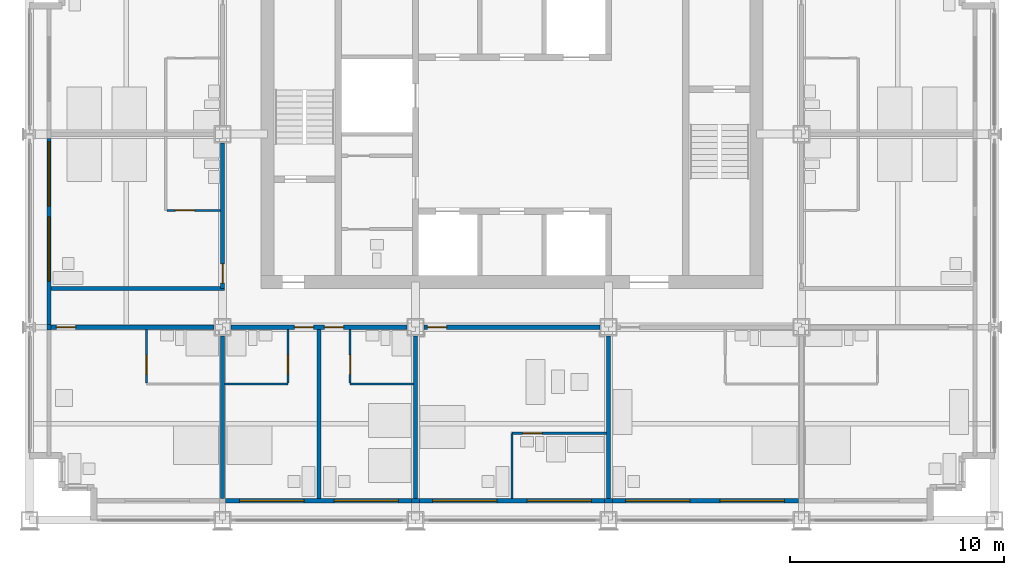
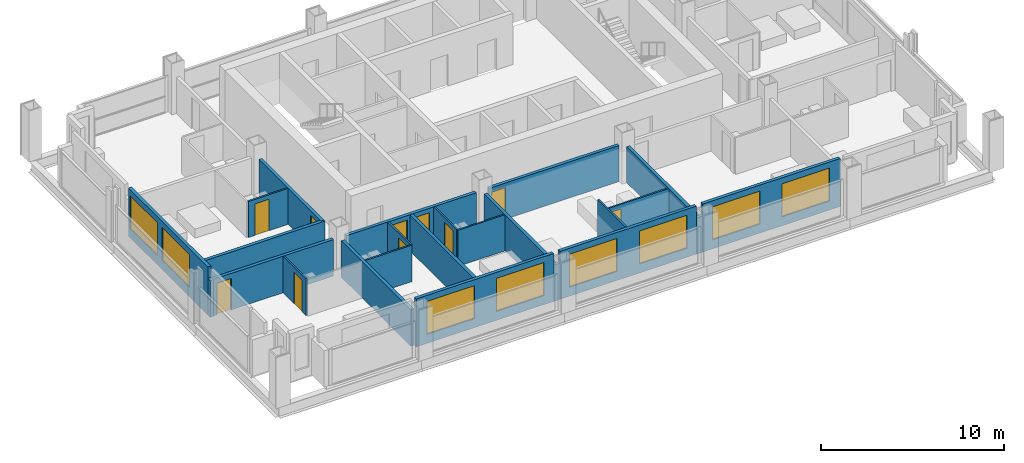
# One storey, part 7 of 13: 24 walls, 10 doors, 8 windows, 18 openings.
"""IFC4 building model written with IfcOpenShell, lengths in metres."""

from ifc_helpers import new_model, si_unit, direction, frame, frame_2d, origin, place, context, subcontext, project, spatial, rectangle, extrude, material, layer, layer_set, type_object, element, fill, save


model = new_model("IFC4")

# Units and contexts
model_context = context("Model", 3, precision=1e-05, world=origin(), true_north=direction((0.0, 1.0)))
body_context = subcontext(model_context, "Body", "Model", "MODEL_VIEW")
ifc_project = project(units=[si_unit("LENGTHUNIT", "METRE"), si_unit("AREAUNIT", "SQUARE_METRE"), si_unit("VOLUMEUNIT", "CUBIC_METRE"), si_unit("PLANEANGLEUNIT", "RADIAN"), si_unit("MASSUNIT", "GRAM", prefix="KILO")], contexts=[model_context])

# Site, building, storey
site_placement = place(None, origin())
site = spatial("IfcSite", under=ifc_project, at=site_placement, CompositionType="ELEMENT")
building_placement = place(site_placement, origin())
building = spatial("IfcBuilding", under=site, at=building_placement, Name="Loomwork Tower", CompositionType="ELEMENT")
storey_placement = place(building_placement, frame((0.0, 0.0, 184.199951171875)))
storey = spatial("IfcBuildingStorey", under=building, at=storey_placement, Name="L50", CompositionType="ELEMENT", Elevation=184.199951171875)

# Wall, opening, door
ifc_material_1 = material(Name="Gypsum board on steel studs, one-hour", Category="steel")
ifc_layer_1 = layer(ifc_material_1, 0.199951171875)
ifc_layer_set_1 = layer_set([ifc_layer_1], Name="Corridor wall 200")
wall_type_1 = type_object("IfcWallType", Name="Corridor wall 200", PredefinedType="PARTITIONING", material=ifc_layer_set_1)
wall_1_placement = place(storey_placement, frame((1.0, 9.0, 0.0), z_axis=(0.0, 0.0, 1.0), x_axis=(1.0, 0.0, 0.0)))
wall_1 = element("IfcWall", 1, at=wall_1_placement, inside=storey, type_object=wall_type_1, Name="South corridor wall 1", PredefinedType="PARTITIONING", context=body_context, shape_type="SweptSolid", body=[
    extrude(rectangle(XDim=7.60009765625, YDim=0.199951171875, at=frame_2d((3.800048828125, 0.0))), origin(), (0.0, 0.0, 1.0), 2.43798828125),
])
opening_1_placement = place(wall_1_placement, frame((0.25, 0.0, 0.0)))
opening_1 = element("IfcOpeningElement", 2, at=opening_1_placement, cuts=wall_1, Name="Opening D1", PredefinedType="OPENING", context=body_context, shape_type="SweptSolid", body=[
    extrude(rectangle(XDim=0.89990234375, YDim=2.10009765625, at=frame_2d((0.449951171875, 1.050048828125))), frame((0.0, 0.10986328125, 0.0), z_axis=(0.0, -1.0, 0.0), x_axis=(1.0, 0.0, 0.0)), (0.0, 0.0, 1.0), 0.219970703125),
])
ifc_material_2 = material(Name="Hollow metal door and frame")
door_type_1 = type_object("IfcDoorType", Name="Guest room entry door 900", OperationType="SINGLE_SWING_LEFT", PredefinedType="DOOR", material=ifc_material_2)
door_1_placement = place(opening_1_placement, frame((0.89990234375, 0.0, 0.0), z_axis=(0.0, 0.0, 1.0), x_axis=(-1.0, 0.0, 0.0)))
door_1 = element("IfcDoor", 3, at=door_1_placement, inside=storey, type_object=door_type_1, Name="Guest room entry door L50 1", OperationType="SINGLE_SWING_RIGHT", OverallHeight=2.10009765625, OverallWidth=0.89990234375, PredefinedType="DOOR", context=body_context, shape_type="SweptSolid", body=[
    extrude(rectangle(XDim=0.89990234375, YDim=2.10009765625, at=frame_2d((0.449951171875, 1.050048828125))), frame((0.0, 0.02490234375, 0.0), z_axis=(0.0, -1.0, 0.0), x_axis=(1.0, 0.0, 0.0)), (0.0, 0.0, 1.0), 0.050048828125),
])
fill(opening_1, door_1)

# Wall, openings, doors
wall_2_placement = place(storey_placement, frame((9.39990234375, 9.0, 0.0), z_axis=(0.0, 0.0, 1.0), x_axis=(1.0, 0.0, 0.0)))
wall_2 = element("IfcWall", 4, at=wall_2_placement, inside=storey, type_object=wall_type_1, Name="South corridor wall 2", PredefinedType="PARTITIONING", context=body_context, shape_type="SweptSolid", body=[
    extrude(rectangle(XDim=8.2001953125, YDim=0.199951171875, at=frame_2d((4.10009765625, 0.0))), origin(), (0.0, 0.0, 1.0), 2.405029296875),
])
opening_2_placement = place(wall_2_placement, frame((2.949951171875, 0.0, 0.0)))
opening_2 = element("IfcOpeningElement", 5, at=opening_2_placement, cuts=wall_2, Name="Opening D1", PredefinedType="OPENING", context=body_context, shape_type="SweptSolid", body=[
    extrude(rectangle(XDim=0.89990234375, YDim=2.10009765625, at=frame_2d((0.449951171875, 1.050048828125))), frame((0.0, 0.10986328125, 0.0), z_axis=(0.0, -1.0, 0.0), x_axis=(1.0, 0.0, 0.0)), (0.0, 0.0, 1.0), 0.219970703125),
])
opening_3_placement = place(wall_2_placement, frame((4.35009765625, 0.0, 0.0)))
opening_3 = element("IfcOpeningElement", 6, at=opening_3_placement, cuts=wall_2, Name="Opening D1", PredefinedType="OPENING", context=body_context, shape_type="SweptSolid", body=[
    extrude(rectangle(XDim=0.89990234375, YDim=2.10009765625, at=frame_2d((0.449951171875, 1.050048828125))), frame((0.0, 0.10986328125, 0.0), z_axis=(0.0, -1.0, 0.0), x_axis=(1.0, 0.0, 0.0)), (0.0, 0.0, 1.0), 0.219970703125),
])
door_2_placement = place(opening_2_placement, frame((0.89990234375, 0.0, 0.0), z_axis=(0.0, 0.0, 1.0), x_axis=(-1.0, 0.0, 0.0)))
door_2 = element("IfcDoor", 7, at=door_2_placement, inside=storey, type_object=door_type_1, Name="Guest room entry door L50 2", OperationType="SINGLE_SWING_LEFT", OverallHeight=2.10009765625, OverallWidth=0.89990234375, PredefinedType="DOOR", context=body_context, shape_type="SweptSolid", body=[
    extrude(rectangle(XDim=0.89990234375, YDim=2.10009765625, at=frame_2d((0.449951171875, 1.050048828125))), frame((0.0, 0.02490234375, 0.0), z_axis=(0.0, -1.0, 0.0), x_axis=(1.0, 0.0, 0.0)), (0.0, 0.0, 1.0), 0.050048828125),
])
fill(opening_2, door_2)
door_3_placement = place(opening_3_placement, frame((0.89990234375, 0.0, 0.0), z_axis=(0.0, 0.0, 1.0), x_axis=(-1.0, 0.0, 0.0)))
door_3 = element("IfcDoor", 8, at=door_3_placement, inside=storey, type_object=door_type_1, Name="Guest room entry door L50 3", OperationType="SINGLE_SWING_RIGHT", OverallHeight=2.10009765625, OverallWidth=0.89990234375, PredefinedType="DOOR", context=body_context, shape_type="SweptSolid", body=[
    extrude(rectangle(XDim=0.89990234375, YDim=2.10009765625, at=frame_2d((0.449951171875, 1.050048828125))), frame((0.0, 0.02490234375, 0.0), z_axis=(0.0, -1.0, 0.0), x_axis=(1.0, 0.0, 0.0)), (0.0, 0.0, 1.0), 0.050048828125),
])
fill(opening_3, door_3)

# Wall, opening, door
wall_3_placement = place(storey_placement, frame((18.39990234375, 9.0, 0.0), z_axis=(0.0, 0.0, 1.0), x_axis=(1.0, 0.0, 0.0)))
wall_3 = element("IfcWall", 9, at=wall_3_placement, inside=storey, type_object=wall_type_1, Name="South corridor wall 3", PredefinedType="PARTITIONING", context=body_context, shape_type="SweptSolid", body=[
    extrude(rectangle(XDim=8.2001953125, YDim=0.199951171875, at=frame_2d((4.10009765625, 0.0))), origin(), (0.0, 0.0, 1.0), 2.405029296875),
])
opening_4_placement = place(wall_3_placement, frame((0.14990234375, 0.0, 0.0)))
opening_4 = element("IfcOpeningElement", 10, at=opening_4_placement, cuts=wall_3, Name="Opening D1", PredefinedType="OPENING", context=body_context, shape_type="SweptSolid", body=[
    extrude(rectangle(XDim=0.89990234375, YDim=2.10009765625, at=frame_2d((0.449951171875, 1.050048828125))), frame((0.0, 0.10986328125, 0.0), z_axis=(0.0, -1.0, 0.0), x_axis=(1.0, 0.0, 0.0)), (0.0, 0.0, 1.0), 0.219970703125),
])
door_4_placement = place(opening_4_placement, frame((0.89990234375, 0.0, 0.0), z_axis=(0.0, 0.0, 1.0), x_axis=(-1.0, 0.0, 0.0)))
door_4 = element("IfcDoor", 11, at=door_4_placement, inside=storey, type_object=door_type_1, Name="Guest room entry door L50 4", OperationType="SINGLE_SWING_RIGHT", OverallHeight=2.10009765625, OverallWidth=0.89990234375, PredefinedType="DOOR", context=body_context, shape_type="SweptSolid", body=[
    extrude(rectangle(XDim=0.89990234375, YDim=2.10009765625, at=frame_2d((0.449951171875, 1.050048828125))), frame((0.0, 0.02490234375, 0.0), z_axis=(0.0, -1.0, 0.0), x_axis=(1.0, 0.0, 0.0)), (0.0, 0.0, 1.0), 0.050048828125),
])
fill(opening_4, door_4)

wall_4_placement = place(storey_placement, frame((9.0, 10.800048828125, 0.0), z_axis=(0.0, 0.0, 1.0), x_axis=(0.0, 1.0, 0.0)))
wall_4 = element("IfcWall", 12, at=wall_4_placement, inside=storey, type_object=wall_type_1, Name="West corridor wall 1", PredefinedType="PARTITIONING", context=body_context, shape_type="SweptSolid", body=[
    extrude(rectangle(XDim=6.800048828125, YDim=0.199951171875, at=frame_2d((3.39990234375, 0.0))), origin(), (0.0, 0.0, 1.0), 2.405029296875),
])
opening_5_placement = place(wall_4_placement, frame((0.25, 0.0, 0.0)))
opening_5 = element("IfcOpeningElement", 13, at=opening_5_placement, cuts=wall_4, Name="Opening D1", PredefinedType="OPENING", context=body_context, shape_type="SweptSolid", body=[
    extrude(rectangle(XDim=0.89990234375, YDim=2.10009765625, at=frame_2d((0.449951171875, 1.050048828125))), frame((0.0, 0.10986328125, 0.0), z_axis=(0.0, -1.0, 0.0), x_axis=(1.0, 0.0, 0.0)), (0.0, 0.0, 1.0), 0.219970703125),
])
door_5_placement = place(opening_5_placement, origin())
door_5 = element("IfcDoor", 14, at=door_5_placement, inside=storey, type_object=door_type_1, Name="Guest room entry door L50 7", OperationType="SINGLE_SWING_LEFT", OverallHeight=2.10009765625, OverallWidth=0.89990234375, PredefinedType="DOOR", context=body_context, shape_type="SweptSolid", body=[
    extrude(rectangle(XDim=0.89990234375, YDim=2.10009765625, at=frame_2d((0.449951171875, 1.050048828125))), frame((0.0, 0.02490234375, 0.0), z_axis=(0.0, -1.0, 0.0), x_axis=(1.0, 0.0, 0.0)), (0.0, 0.0, 1.0), 0.050048828125),
])
fill(opening_5, door_5)

# Wall
wall_5_placement = place(storey_placement, frame((1.0, 10.800048828125, 0.0), z_axis=(0.0, 0.0, 1.0), x_axis=(1.0, 0.0, 0.0)))
element("IfcWall", 15, at=wall_5_placement, inside=storey, type_object=wall_type_1, Name="West band end wall S", PredefinedType="PARTITIONING", context=body_context, shape_type="SweptSolid", body=[
    extrude(rectangle(XDim=8.10009765625, YDim=0.199951171875, at=frame_2d((4.050048828125, 0.0))), origin(), (0.0, 0.0, 1.0), 2.404052734375),
])

# Wall, opening, door
ifc_material_3 = material(Name="Cement board on steel studs", Category="steel")
ifc_layer_2 = layer(ifc_material_3, 0.10009765625)
ifc_layer_set_2 = layer_set([ifc_layer_2], Name="En-suite partition 100")
wall_type_2 = type_object("IfcWallType", Name="En-suite partition 100", PredefinedType="PARTITIONING", material=ifc_layer_set_2)
wall_6_placement = place(storey_placement, frame((5.449951171875, 8.89990234375, 0.0), z_axis=(0.0, 0.0, 1.0), x_axis=(0.0, -1.0, 0.0)))
wall_6 = element("IfcWall", 16, at=wall_6_placement, inside=storey, type_object=wall_type_2, Name="En-suite side wall L50 room 1", PredefinedType="PARTITIONING", context=body_context, shape_type="SweptSolid", body=[
    extrude(rectangle(XDim=2.5, YDim=0.10009765625, at=frame_2d((1.25, 0.0))), origin(), (0.0, 0.0, 1.0), 2.43798828125),
])
opening_6_placement = place(wall_6_placement, frame((1.199951171875, 0.0, 0.0)))
opening_6 = element("IfcOpeningElement", 17, at=opening_6_placement, cuts=wall_6, Name="Opening D3", PredefinedType="OPENING", context=body_context, shape_type="SweptSolid", body=[
    extrude(rectangle(XDim=0.89990234375, YDim=2.10009765625, at=frame_2d((0.449951171875, 1.050048828125))), frame((0.0, 0.06005859375, 0.0), z_axis=(0.0, -1.0, 0.0), x_axis=(1.0, 0.0, 0.0)), (0.0, 0.0, 1.0), 0.1201171875),
])
ifc_material_4 = material(Name="Hollow metal door and frame")
door_type_2 = type_object("IfcDoorType", Name="Accessible en-suite door 900", OperationType="SLIDING_TO_LEFT", PredefinedType="DOOR", material=ifc_material_4)
door_6_placement = place(opening_6_placement, origin())
door_6 = element("IfcDoor", 18, at=door_6_placement, inside=storey, type_object=door_type_2, Name="Accessible en-suite door room 1", OperationType="SLIDING_TO_LEFT", OverallHeight=2.10009765625, OverallWidth=0.89990234375, PredefinedType="DOOR", context=body_context, shape_type="SweptSolid", body=[
    extrude(rectangle(XDim=0.89990234375, YDim=2.10009765625, at=frame_2d((0.449951171875, 1.050048828125))), frame((0.0, 0.02490234375, 0.0), z_axis=(0.0, -1.0, 0.0), x_axis=(1.0, 0.0, 0.0)), (0.0, 0.0, 1.0), 0.050048828125),
])
fill(opening_6, door_6)

# Wall
wall_7_placement = place(storey_placement, frame((9.10009765625, 6.35009765625, 0.0), z_axis=(0.0, 0.0, 1.0), x_axis=(1.0, 0.0, 0.0)))
element("IfcWall", 19, at=wall_7_placement, inside=storey, type_object=wall_type_2, Name="En-suite wall L50 room 2", PredefinedType="PARTITIONING", context=body_context, shape_type="SweptSolid", body=[
    extrude(rectangle(XDim=2.949951171875, YDim=0.10009765625, at=frame_2d((1.47509765625, 0.0))), origin(), (0.0, 0.0, 1.0), 2.43798828125),
])

# Wall, opening, door
wall_8_placement = place(storey_placement, frame((12.050048828125, 8.89990234375, 0.0), z_axis=(0.0, 0.0, 1.0), x_axis=(0.0, -1.0, 0.0)))
wall_8 = element("IfcWall", 20, at=wall_8_placement, inside=storey, type_object=wall_type_2, Name="En-suite side wall L50 room 2", PredefinedType="PARTITIONING", context=body_context, shape_type="SweptSolid", body=[
    extrude(rectangle(XDim=2.5, YDim=0.10009765625, at=frame_2d((1.25, 0.0))), origin(), (0.0, 0.0, 1.0), 2.404052734375),
])
opening_7_placement = place(wall_8_placement, frame((1.199951171875, 0.0, 0.0)))
opening_7 = element("IfcOpeningElement", 21, at=opening_7_placement, cuts=wall_8, Name="Opening D2", PredefinedType="OPENING", context=body_context, shape_type="SweptSolid", body=[
    extrude(rectangle(XDim=0.89990234375, YDim=2.10009765625, at=frame_2d((0.449951171875, 1.050048828125))), frame((0.0, 0.06005859375, 0.0), z_axis=(0.0, -1.0, 0.0), x_axis=(1.0, 0.0, 0.0)), (0.0, 0.0, 1.0), 0.1201171875),
])
ifc_material_5 = material(Name="Hollow metal door and frame")
door_type_3 = type_object("IfcDoorType", Name="En-suite door 900", OperationType="SINGLE_SWING_LEFT", PredefinedType="DOOR", material=ifc_material_5)
door_7_placement = place(opening_7_placement, frame((0.89990234375, 0.0, 0.0), z_axis=(0.0, 0.0, 1.0), x_axis=(-1.0, 0.0, 0.0)))
door_7 = element("IfcDoor", 22, at=door_7_placement, inside=storey, type_object=door_type_3, Name="En-suite door room 2", OperationType="SINGLE_SWING_LEFT", OverallHeight=2.10009765625, OverallWidth=0.89990234375, PredefinedType="DOOR", context=body_context, shape_type="SweptSolid", body=[
    extrude(rectangle(XDim=0.89990234375, YDim=2.10009765625, at=frame_2d((0.449951171875, 1.050048828125))), frame((0.0, 0.02490234375, 0.0), z_axis=(0.0, -1.0, 0.0), x_axis=(1.0, 0.0, 0.0)), (0.0, 0.0, 1.0), 0.050048828125),
])
fill(opening_7, door_7)

# Wall
wall_9_placement = place(storey_placement, frame((14.949951171875, 6.35009765625, 0.0), z_axis=(0.0, 0.0, 1.0), x_axis=(1.0, 0.0, 0.0)))
element("IfcWall", 23, at=wall_9_placement, inside=storey, type_object=wall_type_2, Name="En-suite wall L50 room 3", PredefinedType="PARTITIONING", context=body_context, shape_type="SweptSolid", body=[
    extrude(rectangle(XDim=2.949951171875, YDim=0.10009765625, at=frame_2d((1.47509765625, 0.0))), origin(), (0.0, 0.0, 1.0), 2.404052734375),
])

# Wall, opening, door
wall_10_placement = place(storey_placement, frame((14.949951171875, 8.89990234375, 0.0), z_axis=(0.0, 0.0, 1.0), x_axis=(0.0, -1.0, 0.0)))
wall_10 = element("IfcWall", 24, at=wall_10_placement, inside=storey, type_object=wall_type_2, Name="En-suite side wall L50 room 3", PredefinedType="PARTITIONING", context=body_context, shape_type="SweptSolid", body=[
    extrude(rectangle(XDim=2.5, YDim=0.10009765625, at=frame_2d((1.25, 0.0))), origin(), (0.0, 0.0, 1.0), 2.404052734375),
])
opening_8_placement = place(wall_10_placement, frame((1.199951171875, 0.0, 0.0)))
opening_8 = element("IfcOpeningElement", 25, at=opening_8_placement, cuts=wall_10, Name="Opening D2", PredefinedType="OPENING", context=body_context, shape_type="SweptSolid", body=[
    extrude(rectangle(XDim=0.89990234375, YDim=2.10009765625, at=frame_2d((0.449951171875, 1.050048828125))), frame((0.0, 0.06005859375, 0.0), z_axis=(0.0, -1.0, 0.0), x_axis=(1.0, 0.0, 0.0)), (0.0, 0.0, 1.0), 0.1201171875),
])
door_8_placement = place(opening_8_placement, origin())
door_8 = element("IfcDoor", 26, at=door_8_placement, inside=storey, type_object=door_type_3, Name="En-suite door room 3", OperationType="SINGLE_SWING_RIGHT", OverallHeight=2.10009765625, OverallWidth=0.89990234375, PredefinedType="DOOR", context=body_context, shape_type="SweptSolid", body=[
    extrude(rectangle(XDim=0.89990234375, YDim=2.10009765625, at=frame_2d((0.449951171875, 1.050048828125))), frame((0.0, 0.02490234375, 0.0), z_axis=(0.0, -1.0, 0.0), x_axis=(1.0, 0.0, 0.0)), (0.0, 0.0, 1.0), 0.050048828125),
])
fill(opening_8, door_8)

wall_11_placement = place(storey_placement, frame((22.5, 4.050048828125, 0.0), z_axis=(0.0, 0.0, 1.0), x_axis=(1.0, 0.0, 0.0)))
wall_11 = element("IfcWall", 27, at=wall_11_placement, inside=storey, type_object=wall_type_2, Name="Spa bathroom wall L50 room 4", PredefinedType="PARTITIONING", context=body_context, shape_type="SweptSolid", body=[
    extrude(rectangle(XDim=4.39990234375, YDim=0.10009765625, at=frame_2d((2.199951171875, 0.0))), origin(), (0.0, 0.0, 1.0), 2.404052734375),
])
opening_9_placement = place(wall_11_placement, frame((0.5, 0.0, 0.0)))
opening_9 = element("IfcOpeningElement", 28, at=opening_9_placement, cuts=wall_11, Name="Opening D2", PredefinedType="OPENING", context=body_context, shape_type="SweptSolid", body=[
    extrude(rectangle(XDim=0.89990234375, YDim=2.10009765625, at=frame_2d((0.449951171875, 1.050048828125))), frame((0.0, 0.06005859375, 0.0), z_axis=(0.0, -1.0, 0.0), x_axis=(1.0, 0.0, 0.0)), (0.0, 0.0, 1.0), 0.1201171875),
])
door_9_placement = place(opening_9_placement, frame((0.89990234375, 0.0, 0.0), z_axis=(0.0, 0.0, 1.0), x_axis=(-1.0, 0.0, 0.0)))
door_9 = element("IfcDoor", 29, at=door_9_placement, inside=storey, type_object=door_type_3, Name="Spa bathroom door room 4", OperationType="SINGLE_SWING_RIGHT", OverallHeight=2.10009765625, OverallWidth=0.89990234375, PredefinedType="DOOR", context=body_context, shape_type="SweptSolid", body=[
    extrude(rectangle(XDim=0.89990234375, YDim=2.10009765625, at=frame_2d((0.449951171875, 1.050048828125))), frame((0.0, 0.02490234375, 0.0), z_axis=(0.0, -1.0, 0.0), x_axis=(1.0, 0.0, 0.0)), (0.0, 0.0, 1.0), 0.050048828125),
])
fill(opening_9, door_9)

# Wall
wall_12_placement = place(storey_placement, frame((22.5, 4.050048828125, 0.0), z_axis=(0.0, 0.0, 1.0), x_axis=(0.0, -1.0, 0.0)))
element("IfcWall", 30, at=wall_12_placement, inside=storey, type_object=wall_type_2, Name="Spa bathroom side wall L50 room 4", PredefinedType="PARTITIONING", context=body_context, shape_type="SweptSolid", body=[
    extrude(rectangle(XDim=3.050048828125, YDim=0.10009765625, at=frame_2d((1.52490234375, 0.0))), origin(), (0.0, 0.0, 1.0), 3.199951171875),
])

# Wall, opening, door
wall_13_placement = place(storey_placement, frame((8.89990234375, 14.449951171875, 0.0), z_axis=(0.0, 0.0, 1.0), x_axis=(-1.0, 0.0, 0.0)))
wall_13 = element("IfcWall", 31, at=wall_13_placement, inside=storey, type_object=wall_type_2, Name="En-suite side wall L50 room 7", PredefinedType="PARTITIONING", context=body_context, shape_type="SweptSolid", body=[
    extrude(rectangle(XDim=2.5, YDim=0.10009765625, at=frame_2d((1.25, 0.0))), origin(), (0.0, 0.0, 1.0), 2.404052734375),
])
opening_10_placement = place(wall_13_placement, frame((1.199951171875, 0.0, 0.0)))
opening_10 = element("IfcOpeningElement", 32, at=opening_10_placement, cuts=wall_13, Name="Opening D2", PredefinedType="OPENING", context=body_context, shape_type="SweptSolid", body=[
    extrude(rectangle(XDim=0.89990234375, YDim=2.10009765625, at=frame_2d((0.449951171875, 1.050048828125))), frame((0.0, 0.06005859375, 0.0), z_axis=(0.0, -1.0, 0.0), x_axis=(1.0, 0.0, 0.0)), (0.0, 0.0, 1.0), 0.1201171875),
])
door_10_placement = place(opening_10_placement, frame((0.89990234375, 0.0, 0.0), z_axis=(0.0, 0.0, 1.0), x_axis=(-1.0, 0.0, 0.0)))
door_10 = element("IfcDoor", 33, at=door_10_placement, inside=storey, type_object=door_type_3, Name="En-suite door room 7", OperationType="SINGLE_SWING_LEFT", OverallHeight=2.10009765625, OverallWidth=0.89990234375, PredefinedType="DOOR", context=body_context, shape_type="SweptSolid", body=[
    extrude(rectangle(XDim=0.89990234375, YDim=2.10009765625, at=frame_2d((0.449951171875, 1.050048828125))), frame((0.0, 0.02490234375, 0.0), z_axis=(0.0, -1.0, 0.0), x_axis=(1.0, 0.0, 0.0)), (0.0, 0.0, 1.0), 0.050048828125),
])
fill(opening_10, door_10)

# Walls
ifc_material_6 = material(Name="Gypsum board on steel studs, acoustic", Category="steel")
ifc_layer_3 = layer(ifc_material_6, 0.199951171875)
ifc_layer_set_3 = layer_set([ifc_layer_3], Name="Guest room party wall 200")
wall_type_3 = type_object("IfcWallType", Name="Guest room party wall 200", PredefinedType="PARTITIONING", material=ifc_layer_set_3)
wall_14_placement = place(storey_placement, frame((9.0, 8.60009765625, 0.0), z_axis=(0.0, 0.0, 1.0), x_axis=(0.0, -1.0, 0.0)))
element("IfcWall", 34, at=wall_14_placement, inside=storey, type_object=wall_type_3, Name="Guest room party wall S 9", PredefinedType="PARTITIONING", context=body_context, shape_type="SweptSolid", body=[
    extrude(rectangle(XDim=7.60009765625, YDim=0.199951171875, at=frame_2d((3.800048828125, 0.0))), origin(), (0.0, 0.0, 1.0), 2.43798828125),
])
wall_15_placement = place(storey_placement, frame((13.5, 8.89990234375, 0.0), z_axis=(0.0, 0.0, 1.0), x_axis=(0.0, -1.0, 0.0)))
element("IfcWall", 35, at=wall_15_placement, inside=storey, type_object=wall_type_3, Name="Guest room party wall S 13.5", PredefinedType="PARTITIONING", context=body_context, shape_type="SweptSolid", body=[
    extrude(rectangle(XDim=7.89990234375, YDim=0.199951171875, at=frame_2d((3.949951171875, 0.0))), origin(), (0.0, 0.0, 1.0), 2.404052734375),
])
for number, where, z_axis, x_axis, name in (
    (36, (18.0, 8.60009765625, 0.0), (0.0, 0.0, 1.0), (0.0, -1.0, 0.0), "Guest room party wall S 18"),
    (37, (27.0, 8.60009765625, 0.0), (0.0, 0.0, 1.0), (0.0, -1.0, 0.0), "Guest room party wall S 27"),
):
    element("IfcWall", number, at=place(storey_placement, frame(where, z_axis=z_axis, x_axis=x_axis)), inside=storey, type_object=wall_type_3, Name=name, PredefinedType="PARTITIONING", context=body_context, shape_type="SweptSolid", body=[
        extrude(rectangle(XDim=7.60009765625, YDim=0.199951171875, at=frame_2d((3.800048828125, 0.0))), origin(), (0.0, 0.0, 1.0), 2.405029296875),
    ])

# Wall, openings, windows
ifc_material_7 = material(Name="Insulated steel stud wall with gypsum lining", Category="steel")
ifc_layer_4 = layer(ifc_material_7, 0.199951171875)
ifc_layer_set_4 = layer_set([ifc_layer_4], Name="Inner skin wall 200")
wall_type_4 = type_object("IfcWallType", Name="Inner skin wall 200", PredefinedType="SOLIDWALL", material=ifc_layer_set_4)
wall_16_placement = place(storey_placement, frame((9.13525390625, 0.89990234375, 0.0), z_axis=(0.0, 0.0, 1.0), x_axis=(1.0, 0.0, 0.0)))
wall_16 = element("IfcWall", 38, at=wall_16_placement, inside=storey, type_object=wall_type_4, Name="Inner skin wall S bay 3", PredefinedType="SOLIDWALL", context=body_context, shape_type="SweptSolid", body=[
    extrude(rectangle(XDim=8.6708984375, YDim=0.199951171875, at=frame_2d((4.33544921875, 0.0))), origin(), (0.0, 0.0, 1.0), 3.199951171875),
])
opening_11_placement = place(wall_16_placement, frame((0.664794921875, 0.0, 0.60009765625)))
opening_11 = element("IfcOpeningElement", 39, at=opening_11_placement, cuts=wall_16, Name="Opening CH1", PredefinedType="OPENING", context=body_context, shape_type="SweptSolid", body=[
    extrude(rectangle(XDim=3.0, YDim=2.199951171875, at=frame_2d((1.5, 1.10009765625))), frame((0.0, 0.10986328125, 0.0), z_axis=(0.0, -1.0, 0.0), x_axis=(1.0, 0.0, 0.0)), (0.0, 0.0, 1.0), 0.219970703125),
])
opening_12_placement = place(wall_16_placement, frame((5.064697265625, 0.0, 0.60009765625)))
opening_12 = element("IfcOpeningElement", 40, at=opening_12_placement, cuts=wall_16, Name="Opening CH1", PredefinedType="OPENING", context=body_context, shape_type="SweptSolid", body=[
    extrude(rectangle(XDim=3.0, YDim=2.199951171875, at=frame_2d((1.5, 1.10009765625))), frame((0.0, 0.10986328125, 0.0), z_axis=(0.0, -1.0, 0.0), x_axis=(1.0, 0.0, 0.0)), (0.0, 0.0, 1.0), 0.219970703125),
])
ifc_material_8 = material(Name="Aluminium frame with clear insulated glass", Category="aluminium")
window_type = type_object("IfcWindowType", Name="Chicago window 3000", PartitioningType="TRIPLE_PANEL_VERTICAL", PredefinedType="WINDOW", material=ifc_material_8)
window_1_placement = place(opening_11_placement, origin())
window_1 = element("IfcWindow", 41, at=window_1_placement, inside=storey, type_object=window_type, Name="Chicago window L50 bay 2", OverallHeight=2.199951171875, OverallWidth=3.0, PartitioningType="TRIPLE_PANEL_VERTICAL", PredefinedType="WINDOW", context=body_context, shape_type="SweptSolid", body=[
    extrude(rectangle(XDim=3.0, YDim=2.199951171875, at=frame_2d((1.5, 1.10009765625))), frame((0.0, 0.030029296875, 0.0), z_axis=(0.0, -1.0, 0.0), x_axis=(1.0, 0.0, 0.0)), (0.0, 0.0, 1.0), 0.06005859375),
])
fill(opening_11, window_1)
window_2_placement = place(opening_12_placement, origin())
window_2 = element("IfcWindow", 42, at=window_2_placement, inside=storey, type_object=window_type, Name="Chicago window L50 bay 2", OverallHeight=2.199951171875, OverallWidth=3.0, PartitioningType="TRIPLE_PANEL_VERTICAL", PredefinedType="WINDOW", context=body_context, shape_type="SweptSolid", body=[
    extrude(rectangle(XDim=3.0, YDim=2.199951171875, at=frame_2d((1.5, 1.10009765625))), frame((0.0, 0.030029296875, 0.0), z_axis=(0.0, -1.0, 0.0), x_axis=(1.0, 0.0, 0.0)), (0.0, 0.0, 1.0), 0.06005859375),
])
fill(opening_12, window_2)

# Wall
wall_17_placement = place(storey_placement, frame((17.80615234375, 0.89990234375, 0.0), z_axis=(0.0, 0.0, 1.0), x_axis=(1.0, 0.0, 0.0)))
element("IfcWall", 43, at=wall_17_placement, inside=storey, type_object=wall_type_4, Name="Inner skin wall S bay 4", PredefinedType="SOLIDWALL", context=body_context, shape_type="SweptSolid", body=[
    extrude(rectangle(XDim=0.3876953125, YDim=0.199951171875, at=frame_2d((0.19384765625, 0.0))), origin(), (0.0, 0.0, 1.0), 2.404052734375),
])

# Wall, openings, windows
wall_18_placement = place(storey_placement, frame((18.19384765625, 0.89990234375, 0.0), z_axis=(0.0, 0.0, 1.0), x_axis=(1.0, 0.0, 0.0)))
wall_18 = element("IfcWall", 44, at=wall_18_placement, inside=storey, type_object=wall_type_4, Name="Inner skin wall S bay 5", PredefinedType="SOLIDWALL", context=body_context, shape_type="SweptSolid", body=[
    extrude(rectangle(XDim=8.6123046875, YDim=0.199951171875, at=frame_2d((4.30615234375, 0.0))), origin(), (0.0, 0.0, 1.0), 3.199951171875),
])
opening_13_placement = place(wall_18_placement, frame((0.606201171875, 0.0, 0.60009765625)))
opening_13 = element("IfcOpeningElement", 45, at=opening_13_placement, cuts=wall_18, Name="Opening CH1", PredefinedType="OPENING", context=body_context, shape_type="SweptSolid", body=[
    extrude(rectangle(XDim=3.0, YDim=2.199951171875, at=frame_2d((1.5, 1.10009765625))), frame((0.0, 0.10986328125, 0.0), z_axis=(0.0, -1.0, 0.0), x_axis=(1.0, 0.0, 0.0)), (0.0, 0.0, 1.0), 0.219970703125),
])
opening_14_placement = place(wall_18_placement, frame((5.006103515625, 0.0, 0.60009765625)))
opening_14 = element("IfcOpeningElement", 46, at=opening_14_placement, cuts=wall_18, Name="Opening CH1", PredefinedType="OPENING", context=body_context, shape_type="SweptSolid", body=[
    extrude(rectangle(XDim=3.0, YDim=2.199951171875, at=frame_2d((1.5, 1.10009765625))), frame((0.0, 0.10986328125, 0.0), z_axis=(0.0, -1.0, 0.0), x_axis=(1.0, 0.0, 0.0)), (0.0, 0.0, 1.0), 0.219970703125),
])
window_3_placement = place(opening_13_placement, origin())
window_3 = element("IfcWindow", 47, at=window_3_placement, inside=storey, type_object=window_type, Name="Chicago window L50 bay 3", OverallHeight=2.199951171875, OverallWidth=3.0, PartitioningType="TRIPLE_PANEL_VERTICAL", PredefinedType="WINDOW", context=body_context, shape_type="SweptSolid", body=[
    extrude(rectangle(XDim=3.0, YDim=2.199951171875, at=frame_2d((1.5, 1.10009765625))), frame((0.0, 0.030029296875, 0.0), z_axis=(0.0, -1.0, 0.0), x_axis=(1.0, 0.0, 0.0)), (0.0, 0.0, 1.0), 0.06005859375),
])
fill(opening_13, window_3)
window_4_placement = place(opening_14_placement, origin())
window_4 = element("IfcWindow", 48, at=window_4_placement, inside=storey, type_object=window_type, Name="Chicago window L50 bay 3", OverallHeight=2.199951171875, OverallWidth=3.0, PartitioningType="TRIPLE_PANEL_VERTICAL", PredefinedType="WINDOW", context=body_context, shape_type="SweptSolid", body=[
    extrude(rectangle(XDim=3.0, YDim=2.199951171875, at=frame_2d((1.5, 1.10009765625))), frame((0.0, 0.030029296875, 0.0), z_axis=(0.0, -1.0, 0.0), x_axis=(1.0, 0.0, 0.0)), (0.0, 0.0, 1.0), 0.06005859375),
])
fill(opening_14, window_4)

# Wall
wall_19_placement = place(storey_placement, frame((26.80615234375, 0.89990234375, 0.0), z_axis=(0.0, 0.0, 1.0), x_axis=(1.0, 0.0, 0.0)))
element("IfcWall", 49, at=wall_19_placement, inside=storey, type_object=wall_type_4, Name="Inner skin wall S bay 6", PredefinedType="SOLIDWALL", context=body_context, shape_type="SweptSolid", body=[
    extrude(rectangle(XDim=0.3876953125, YDim=0.199951171875, at=frame_2d((0.19384765625, 0.0))), origin(), (0.0, 0.0, 1.0), 2.404052734375),
])

# Wall, openings, windows
wall_20_placement = place(storey_placement, frame((27.19384765625, 0.89990234375, 0.0), z_axis=(0.0, 0.0, 1.0), x_axis=(1.0, 0.0, 0.0)))
wall_20 = element("IfcWall", 50, at=wall_20_placement, inside=storey, type_object=wall_type_4, Name="Inner skin wall S bay 7", PredefinedType="SOLIDWALL", context=body_context, shape_type="SweptSolid", body=[
    extrude(rectangle(XDim=8.670654296875, YDim=0.199951171875, at=frame_2d((4.33544921875, 0.0))), origin(), (0.0, 0.0, 1.0), 3.199951171875),
])
opening_15_placement = place(wall_20_placement, frame((0.606201171875, 0.0, 0.60009765625)))
opening_15 = element("IfcOpeningElement", 51, at=opening_15_placement, cuts=wall_20, Name="Opening CH1", PredefinedType="OPENING", context=body_context, shape_type="SweptSolid", body=[
    extrude(rectangle(XDim=3.0, YDim=2.199951171875, at=frame_2d((1.5, 1.10009765625))), frame((0.0, 0.10986328125, 0.0), z_axis=(0.0, -1.0, 0.0), x_axis=(1.0, 0.0, 0.0)), (0.0, 0.0, 1.0), 0.219970703125),
])
opening_16_placement = place(wall_20_placement, frame((5.006103515625, 0.0, 0.60009765625)))
opening_16 = element("IfcOpeningElement", 52, at=opening_16_placement, cuts=wall_20, Name="Opening CH1", PredefinedType="OPENING", context=body_context, shape_type="SweptSolid", body=[
    extrude(rectangle(XDim=3.0, YDim=2.199951171875, at=frame_2d((1.5, 1.10009765625))), frame((0.0, 0.10986328125, 0.0), z_axis=(0.0, -1.0, 0.0), x_axis=(1.0, 0.0, 0.0)), (0.0, 0.0, 1.0), 0.219970703125),
])
window_5_placement = place(opening_15_placement, origin())
window_5 = element("IfcWindow", 53, at=window_5_placement, inside=storey, type_object=window_type, Name="Chicago window L50 bay 4", OverallHeight=2.199951171875, OverallWidth=3.0, PartitioningType="TRIPLE_PANEL_VERTICAL", PredefinedType="WINDOW", context=body_context, shape_type="SweptSolid", body=[
    extrude(rectangle(XDim=3.0, YDim=2.199951171875, at=frame_2d((1.5, 1.10009765625))), frame((0.0, 0.030029296875, 0.0), z_axis=(0.0, -1.0, 0.0), x_axis=(1.0, 0.0, 0.0)), (0.0, 0.0, 1.0), 0.06005859375),
])
fill(opening_15, window_5)
window_6_placement = place(opening_16_placement, origin())
window_6 = element("IfcWindow", 54, at=window_6_placement, inside=storey, type_object=window_type, Name="Chicago window L50 bay 4", OverallHeight=2.199951171875, OverallWidth=3.0, PartitioningType="TRIPLE_PANEL_VERTICAL", PredefinedType="WINDOW", context=body_context, shape_type="SweptSolid", body=[
    extrude(rectangle(XDim=3.0, YDim=2.199951171875, at=frame_2d((1.5, 1.10009765625))), frame((0.0, 0.030029296875, 0.0), z_axis=(0.0, -1.0, 0.0), x_axis=(1.0, 0.0, 0.0)), (0.0, 0.0, 1.0), 0.06005859375),
])
fill(opening_16, window_6)

# Wall
wall_21_placement = place(storey_placement, frame((0.89990234375, 8.86474609375, 0.0), z_axis=(0.0, 0.0, 1.0), x_axis=(0.0, 1.0, 0.0)))
element("IfcWall", 55, at=wall_21_placement, inside=storey, type_object=wall_type_4, Name="Inner skin wall W bay 4", PredefinedType="SOLIDWALL", context=body_context, shape_type="SweptSolid", body=[
    extrude(rectangle(XDim=0.2705078125, YDim=0.199951171875, at=frame_2d((0.13525390625, 0.0))), origin(), (0.0, 0.0, 1.0), 2.43798828125),
])

# Wall, openings, windows
wall_22_placement = place(storey_placement, frame((0.89990234375, 9.13525390625, 0.0), z_axis=(0.0, 0.0, 1.0), x_axis=(0.0, 1.0, 0.0)))
wall_22 = element("IfcWall", 56, at=wall_22_placement, inside=storey, type_object=wall_type_4, Name="Inner skin wall W bay 5", PredefinedType="SOLIDWALL", context=body_context, shape_type="SweptSolid", body=[
    extrude(rectangle(XDim=8.6708984375, YDim=0.199951171875, at=frame_2d((4.33544921875, 0.0))), origin(), (0.0, 0.0, 1.0), 3.199951171875),
])
opening_17_placement = place(wall_22_placement, frame((2.0146484375, 0.0, 0.60009765625)))
opening_17 = element("IfcOpeningElement", 57, at=opening_17_placement, cuts=wall_22, Name="Opening CH1", PredefinedType="OPENING", context=body_context, shape_type="SweptSolid", body=[
    extrude(rectangle(XDim=3.0, YDim=2.199951171875, at=frame_2d((1.5, 1.10009765625))), frame((0.0, 0.10986328125, 0.0), z_axis=(0.0, -1.0, 0.0), x_axis=(1.0, 0.0, 0.0)), (0.0, 0.0, 1.0), 0.219970703125),
])
opening_18_placement = place(wall_22_placement, frame((5.5146484375, 0.0, 0.60009765625)))
opening_18 = element("IfcOpeningElement", 58, at=opening_18_placement, cuts=wall_22, Name="Opening CH1", PredefinedType="OPENING", context=body_context, shape_type="SweptSolid", body=[
    extrude(rectangle(XDim=3.0, YDim=2.199951171875, at=frame_2d((1.5, 1.10009765625))), frame((0.0, 0.10986328125, 0.0), z_axis=(0.0, -1.0, 0.0), x_axis=(1.0, 0.0, 0.0)), (0.0, 0.0, 1.0), 0.219970703125),
])
window_7_placement = place(opening_17_placement, origin())
window_7 = element("IfcWindow", 59, at=window_7_placement, inside=storey, type_object=window_type, Name="Chicago window L50 bay 6", OverallHeight=2.199951171875, OverallWidth=3.0, PartitioningType="TRIPLE_PANEL_VERTICAL", PredefinedType="WINDOW", context=body_context, shape_type="SweptSolid", body=[
    extrude(rectangle(XDim=3.0, YDim=2.199951171875, at=frame_2d((1.5, 1.10009765625))), frame((0.0, 0.030029296875, 0.0), z_axis=(0.0, -1.0, 0.0), x_axis=(1.0, 0.0, 0.0)), (0.0, 0.0, 1.0), 0.06005859375),
])
fill(opening_17, window_7)
window_8_placement = place(opening_18_placement, origin())
window_8 = element("IfcWindow", 60, at=window_8_placement, inside=storey, type_object=window_type, Name="Chicago window L50 bay 6", OverallHeight=2.199951171875, OverallWidth=3.0, PartitioningType="TRIPLE_PANEL_VERTICAL", PredefinedType="WINDOW", context=body_context, shape_type="SweptSolid", body=[
    extrude(rectangle(XDim=3.0, YDim=2.199951171875, at=frame_2d((1.5, 1.10009765625))), frame((0.0, 0.030029296875, 0.0), z_axis=(0.0, -1.0, 0.0), x_axis=(1.0, 0.0, 0.0)), (0.0, 0.0, 1.0), 0.06005859375),
])
fill(opening_18, window_8)

save(model, "model.ifc")
